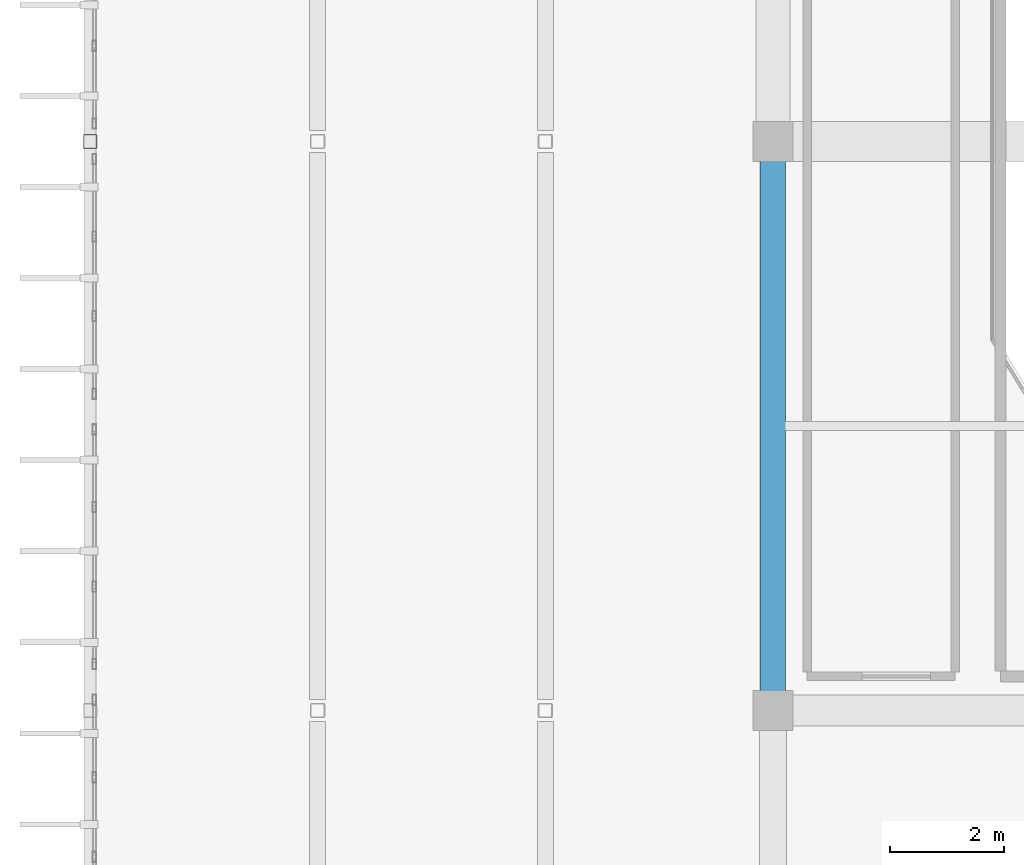
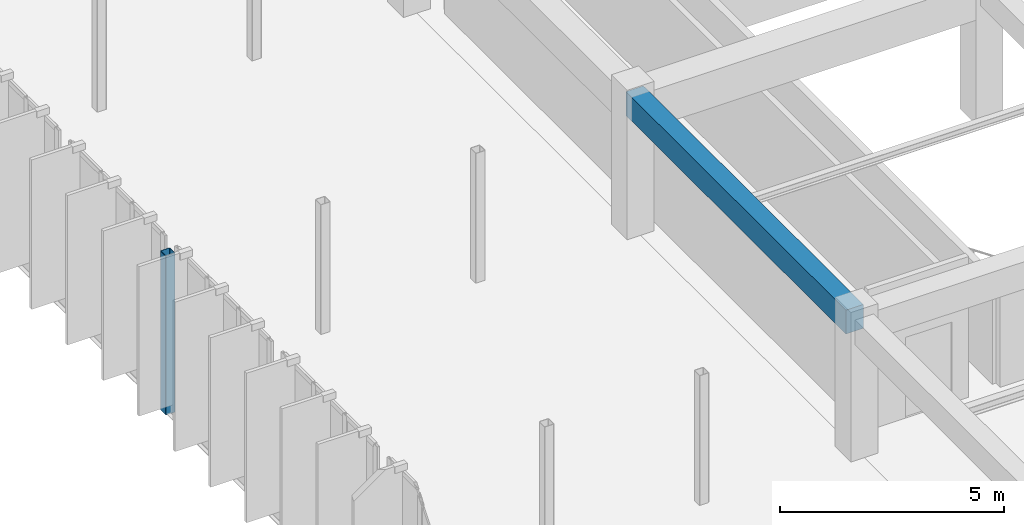
# One storey, part 30 of 110: 1 beam, 1 member.
"""IFC4 building model written with IfcOpenShell, lengths in metres."""

from ifc_helpers import new_model, si_unit, direction, frame, origin, origin_2d, place, context, subcontext, project, spatial, rectangle, hollow_rectangle, extrude, material, material_profile, profile_set, type_object, element, save


model = new_model("IFC4")

# Units and contexts
model_context = context("Model", 3, precision=1e-05, world=origin(), true_north=direction((0.0, 1.0)))
body_context = subcontext(model_context, "Body", "Model", "MODEL_VIEW")
ifc_project = project(units=[si_unit("LENGTHUNIT", "METRE"), si_unit("AREAUNIT", "SQUARE_METRE"), si_unit("VOLUMEUNIT", "CUBIC_METRE"), si_unit("PLANEANGLEUNIT", "RADIAN"), si_unit("MASSUNIT", "GRAM", prefix="KILO")], contexts=[model_context])

# Site, building, storey
site_placement = place(None, origin())
site = spatial("IfcSite", under=ifc_project, at=site_placement, CompositionType="ELEMENT")
building_placement = place(site_placement, origin())
building = spatial("IfcBuilding", under=site, at=building_placement, Name="Miravela Opera House", CompositionType="ELEMENT")
storey_placement = place(building_placement, frame((0.0, 0.0, 13.60009765625)))
storey = spatial("IfcBuildingStorey", under=building, at=storey_placement, Name="L03", CompositionType="ELEMENT", Elevation=13.60009765625)

# Beam
ifc_material_1 = material(Name="Concrete C35/45", Category="concrete")
ifc_material_profile_1 = material_profile(ifc_material_1, rectangle(XDim=0.449951171875, YDim=0.64990234375, at=origin_2d()), Name="RC-BM-450X650")
ifc_profile_set_1 = profile_set([ifc_material_profile_1])
beam_type = type_object("IfcBeamType", Name="STR-BM-RC450X650", PredefinedType="BEAM", material=ifc_profile_set_1)
beam_placement = place(storey_placement, frame((27.0, 46.080078125, 3.514892578125), z_axis=(0.0, 1.0, 0.0), x_axis=(-1.0, 0.0, 0.0)))
element("IfcBeam", 1, at=beam_placement, inside=storey, type_object=beam_type, Name="Floor Girder L03 4/F-G", PredefinedType="BEAM", context=body_context, shape_type="SweptSolid", body=[
    extrude(rectangle(XDim=0.449951171875, YDim=0.64990234375, at=origin_2d()), origin(), (0.0, 0.0, 1.0), 9.83984375),
])

# Member
ifc_material_2 = material(Name="Hollow structural steel ASTM A500 Gr. C", Category="steel")
ifc_material_profile_2 = material_profile(ifc_material_2, hollow_rectangle(XDim=0.25, YDim=0.25, WallThickness=0.011962890625, InnerFilletRadius=0.011962890625, OuterFilletRadius=0.02392578125, at=origin_2d()), Name="HSS250X250X12")
ifc_profile_set_2 = profile_set([ifc_material_profile_2])
member_type = type_object("IfcMemberType", Name="STR-MEM-CANT-POST2", PredefinedType="POST", material=ifc_profile_set_2)
member_placement = place(storey_placement, frame((15.0, 56.0, -0.793212890625), z_axis=(0.0, 0.0, 1.0), x_axis=(1.0, 0.0, 0.0)))
element("IfcMember", 2, at=member_placement, inside=storey, type_object=member_type, Name="Upper Wrapper Truss Post L03 X=15.0", PredefinedType="POST", context=body_context, shape_type="SweptSolid", body=[
    extrude(hollow_rectangle(XDim=0.25, YDim=0.25, WallThickness=0.011962890625, InnerFilletRadius=0.011962890625, OuterFilletRadius=0.02392578125, at=origin_2d()), origin(), (0.0, 0.0, 1.0), 4.3330078125),
])

save(model, "model.ifc")
